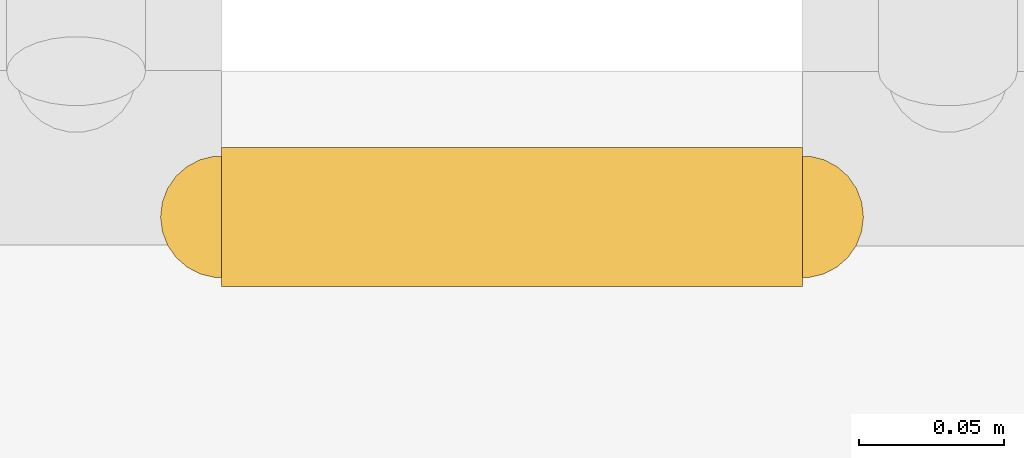
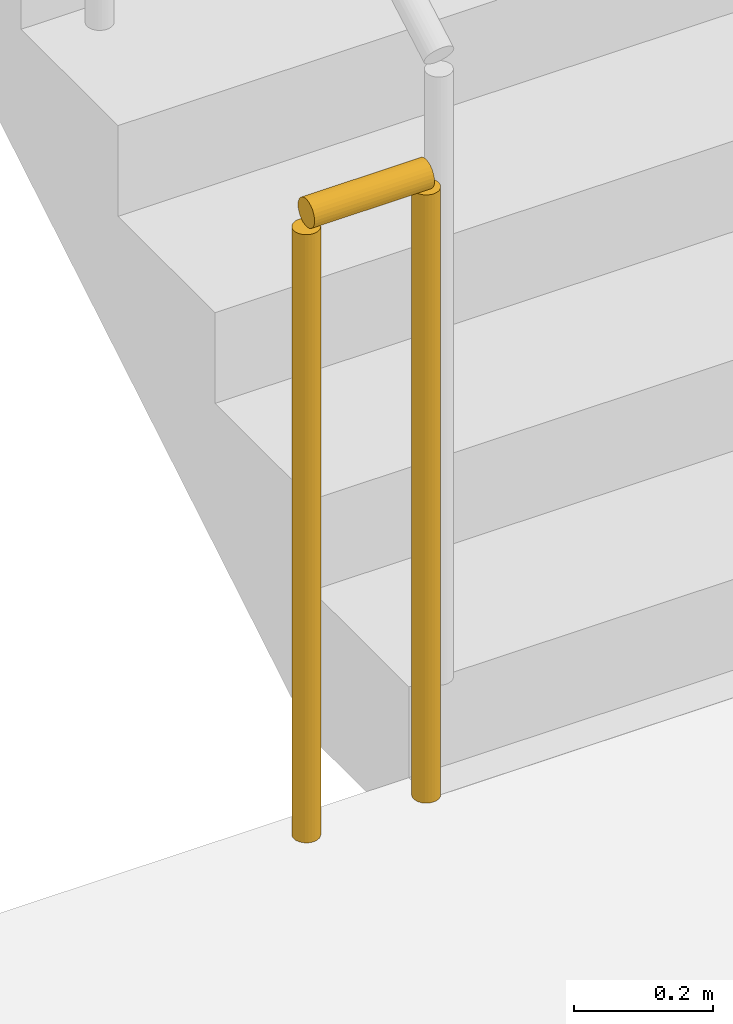
# One storey, part 145 of 156: 1 railing.
"""IFC4 building model written with IfcOpenShell, lengths in metres."""

import ifcopenshell
import ifcopenshell.guid

model = None  # the IFC model being written
_history = None  # IfcOwnerHistory: only IFC2X3 demands one
_inside = {}  # id of a spatial element -> (the spatial element, [elements in it])
_under = {}  # id of a project, library or spatial element -> (it, [spatial elements below it])
_declared = {}  # id of a project -> (the project, [libraries it declares])
_typed = {}  # id of a type object -> (the type object, [elements of that type])
_made_of = {}  # id of a material, layer set ... -> (it, [elements and type objects made of it])


def new_model(schema):
    """Start an empty IFC model of exactly this schema.

    Asked for "IFC4X3", IfcOpenShell would pick the latest addendum, in which some entities
    have other attributes; the version numbers below select the first issue.
    IFC2X3 requires an IfcOwnerHistory on every rooted entity: one is made here for all.
    """
    global model, _history
    if schema == "IFC4X3":
        model = ifcopenshell.file(schema_version=(4, 3, 0, 0))
    else:
        model = ifcopenshell.file(schema=schema)
    _inside.clear()
    _under.clear()
    _declared.clear()
    _typed.clear()
    _made_of.clear()
    _history = None
    if model.schema == "IFC2X3":
        org = make("IfcOrganization", Name="unknown")
        user = make(
            "IfcPersonAndOrganization",
            ThePerson=make("IfcPerson", FamilyName="unknown"),
            TheOrganization=org,
        )
        app = make(
            "IfcApplication",
            ApplicationDeveloper=org,
            Version="unknown",
            ApplicationFullName="unknown",
            ApplicationIdentifier="unknown",
        )
        _history = make(
            "IfcOwnerHistory",
            OwningUser=user,
            OwningApplication=app,
            ChangeAction="ADDED",
            CreationDate=0,
        )
    return model


def make(cls, **values):
    """One entity of the class cls with the attributes given. An attribute that is None is left unset."""
    return model.create_entity(
        cls, **{name: value for name, value in values.items() if value is not None}
    )


def rooted(cls, **values):
    """An entity with a GlobalId (a new one), such as an element, a storey or a relation."""
    return make(cls, GlobalId=ifcopenshell.guid.new(), OwnerHistory=_history, **values)


def si_unit(unit_type, name, prefix=None):
    """IfcSIUnit, for example si_unit("LENGTHUNIT", "METRE", prefix="MILLI")."""
    return make("IfcSIUnit", UnitType=unit_type, Prefix=prefix, Name=name)


def assignment(units):
    """IfcUnitAssignment: the units of a project."""
    return None if units is None else make("IfcUnitAssignment", Units=units)


def point(xyz):
    """IfcCartesianPoint."""
    return None if xyz is None else make("IfcCartesianPoint", Coordinates=xyz)


def direction(xyz):
    """IfcDirection."""
    return None if xyz is None else make("IfcDirection", DirectionRatios=xyz)


def frame(location, z_axis=None, x_axis=None):
    """IfcAxis2Placement3D, a coordinate frame: its origin and axes. An axis left out is left unset."""
    return make(
        "IfcAxis2Placement3D",
        Location=point(location),
        Axis=direction(z_axis),
        RefDirection=direction(x_axis),
    )


def frame_2d(location, x_axis=None):
    """IfcAxis2Placement2D, a coordinate frame in the plane: its origin and x axis."""
    return make(
        "IfcAxis2Placement2D", Location=point(location), RefDirection=direction(x_axis)
    )


def origin():
    """The frame at (0, 0, 0) with its axes left unset."""
    return frame((0.0, 0.0, 0.0))


def origin_2d():
    """The frame at (0, 0) in the plane with its x axis left unset."""
    return frame_2d((0.0, 0.0))


def place(relative_to, where):
    """IfcLocalPlacement: puts the frame where relative to a parent placement (None: the world)."""
    return make(
        "IfcLocalPlacement", PlacementRelTo=relative_to, RelativePlacement=where
    )


def context(
    kind, dimensions, precision=None, world=None, true_north=None, identifier=None
):
    """IfcGeometricRepresentationContext, for example the 3D "Model" context."""
    return make(
        "IfcGeometricRepresentationContext",
        ContextIdentifier=identifier,
        ContextType=kind,
        CoordinateSpaceDimension=dimensions,
        Precision=precision,
        WorldCoordinateSystem=world,
        TrueNorth=true_north,
    )


def subcontext(parent, identifier, kind, view, scale=None):
    """IfcGeometricRepresentationSubContext, for example "Body" below "Model"."""
    return make(
        "IfcGeometricRepresentationSubContext",
        ContextIdentifier=identifier,
        ContextType=kind,
        ParentContext=parent,
        TargetScale=scale,
        TargetView=view,
    )


def project(units=None, contexts=None):
    """IfcProject with its units and contexts."""
    return rooted(
        "IfcProject",
        Name="project",
        RepresentationContexts=contexts,
        UnitsInContext=assignment(units),
    )


def spatial(cls, under=None, at=None, **own):
    """A site, building, storey or space (cls), placed at a placement, below another one or the project."""
    s = rooted(cls, ObjectPlacement=at, **own)
    if under is not None:
        _under.setdefault(under.id(), (under, []))[1].append(s)
    return s


def profile(cls, at=None, kind="AREA", **sizes):
    """A parametric profile (cls). Its sizes go by their IFC names, for example OverallWidth=200.0."""
    return make(cls, ProfileType=kind, Position=at, **sizes)


def circle(**sizes):
    """IfcCircleProfileDef."""
    return profile("IfcCircleProfileDef", **sizes)


def extrude(swept, where, along, depth):
    """IfcExtrudedAreaSolid: the profile swept, set in the frame where, extruded along a direction by depth."""
    return make(
        "IfcExtrudedAreaSolid",
        SweptArea=swept,
        Position=where,
        ExtrudedDirection=direction(along),
        Depth=depth,
    )


def shape(context_of_items, identifier, shape_type, items):
    """IfcShapeRepresentation: the items that make up one representation, for example the "Body"."""
    return make(
        "IfcShapeRepresentation",
        ContextOfItems=context_of_items,
        RepresentationIdentifier=identifier,
        RepresentationType=shape_type,
        Items=items,
    )


def material(Name=None, Category=None):
    """IfcMaterial."""
    return make("IfcMaterial", Name=Name, Category=Category)


def made_of(thing, what):
    """Note that an element or type object is made of a material, layer set ...; save() writes the relation."""
    if what is not None:
        _made_of.setdefault(what.id(), (what, []))[1].append(thing)
    return thing


def type_object(cls, material=None, **own):
    """A type object (cls), such as IfcWallType, which elements share."""
    return made_of(rooted(cls, **own), material)


def element(
    cls,
    number,
    at=None,
    inside=None,
    cuts=None,
    type_object=None,
    material=None,
    context=None,
    identifier="Body",
    shape_type=None,
    held_by="IfcProductDefinitionShape",
    body=None,
    shapes=None,
    **own,
):
    """One element of the class cls, such as IfcWall. Its Tag is "e" and its number.

    at: its placement. inside: the storey or other place that contains it. cuts: it is an
    opening in that element (IfcRelVoidsElement). A single representation is given by context,
    identifier, shape_type and body (its items); several are given by shapes. held_by: the class
    of the entity that holds the representations. save() writes the other relations.
    """
    e = rooted(cls, Tag="e%d" % number, ObjectPlacement=at, **own)
    if body is not None:
        shapes = [shape(context, identifier, shape_type, body)]
    if shapes is not None:
        e.Representation = make(held_by, Representations=shapes)
    if inside is not None:
        _inside.setdefault(inside.id(), (inside, []))[1].append(e)
    if cuts is not None:
        rooted(
            "IfcRelVoidsElement", RelatingBuildingElement=cuts, RelatedOpeningElement=e
        )
    if type_object is not None:
        _typed.setdefault(type_object.id(), (type_object, []))[1].append(e)
    return made_of(e, material)


def aggregate(whole, parts):
    """IfcRelAggregates: a whole, such as a stair, and the parts it consists of."""
    return rooted("IfcRelAggregates", RelatingObject=whole, RelatedObjects=parts)


def save(model, path):
    """Write the relations noted so far, then the file.

    IfcRelAggregates (storeys below a building ...), IfcRelContainedInSpatialStructure (elements
    in a storey), IfcRelDefinesByType, IfcRelAssociatesMaterial and IfcRelDeclares: one each for
    every whole, place, type object, material and project.
    """
    for whole, parts in _under.values():
        aggregate(whole, parts)
    for where, things in _inside.values():
        rooted(
            "IfcRelContainedInSpatialStructure",
            RelatedElements=things,
            RelatingStructure=where,
        )
    for kind, things in _typed.values():
        rooted("IfcRelDefinesByType", RelatedObjects=things, RelatingType=kind)
    for what, things in _made_of.values():
        rooted("IfcRelAssociatesMaterial", RelatedObjects=things, RelatingMaterial=what)
    for by, libraries in _declared.values():
        rooted("IfcRelDeclares", RelatingContext=by, RelatedDefinitions=libraries)
    model.write(path)


model = new_model("IFC4")

# Units and contexts
model_context = context("Model", 3, precision=1e-05, world=origin(), true_north=direction((0.0, 1.0)))
body_context = subcontext(model_context, "Body", "Model", "MODEL_VIEW")
ifc_project = project(units=[si_unit("LENGTHUNIT", "METRE"), si_unit("AREAUNIT", "SQUARE_METRE"), si_unit("VOLUMEUNIT", "CUBIC_METRE"), si_unit("PLANEANGLEUNIT", "RADIAN"), si_unit("MASSUNIT", "GRAM", prefix="KILO")], contexts=[model_context])

# Site, building, storey
site_placement = place(None, origin())
site = spatial("IfcSite", under=ifc_project, at=site_placement, CompositionType="ELEMENT")
building_placement = place(site_placement, origin())
building = spatial("IfcBuilding", under=site, at=building_placement, Name="Luwemba Playhouse", CompositionType="ELEMENT")
storey_placement = place(building_placement, origin())
storey = spatial("IfcBuildingStorey", under=building, at=storey_placement, Name="L00", CompositionType="ELEMENT", Elevation=0.0)

# Railing
ifc_material = material(Name="Painted wrought-iron gallery balustrade", Category="steel")
railing_type = type_object("IfcRailingType", Name="RLG-BAL-INT", PredefinedType="BALUSTRADE", material=ifc_material)
railing_placement = place(storey_placement, frame((62.449951171875, 97.14990234375, 0.0)))
element("IfcRailing", 1, at=railing_placement, inside=storey, type_object=railing_type, Name="L00 ST-15 stair guard 4", PredefinedType="BALUSTRADE", context=body_context, shape_type="SweptSolid", body=[
    extrude(circle(Radius=0.02392578125, at=origin_2d()), frame((0.0, 0.0, 1.09619140625), z_axis=(-1.0, 0.0, 0.0), x_axis=(0.0, -1.0, 0.0)), (0.0, 0.0, 1.0), 0.199951171875),
    extrude(circle(Radius=0.02099609375, at=origin_2d()), origin(), (0.0, 0.0, 1.0), 1.072021484375),
    extrude(circle(Radius=0.02099609375, at=origin_2d()), frame((-0.199951171875, 0.0, 0.0)), (0.0, 0.0, 1.0), 1.072021484375),
])

save(model, "model.ifc")
